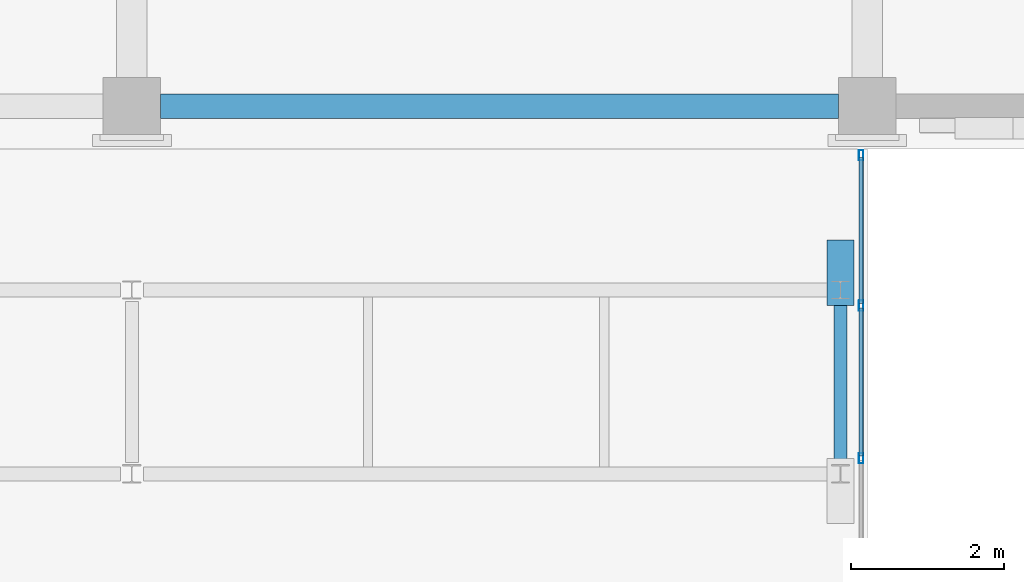
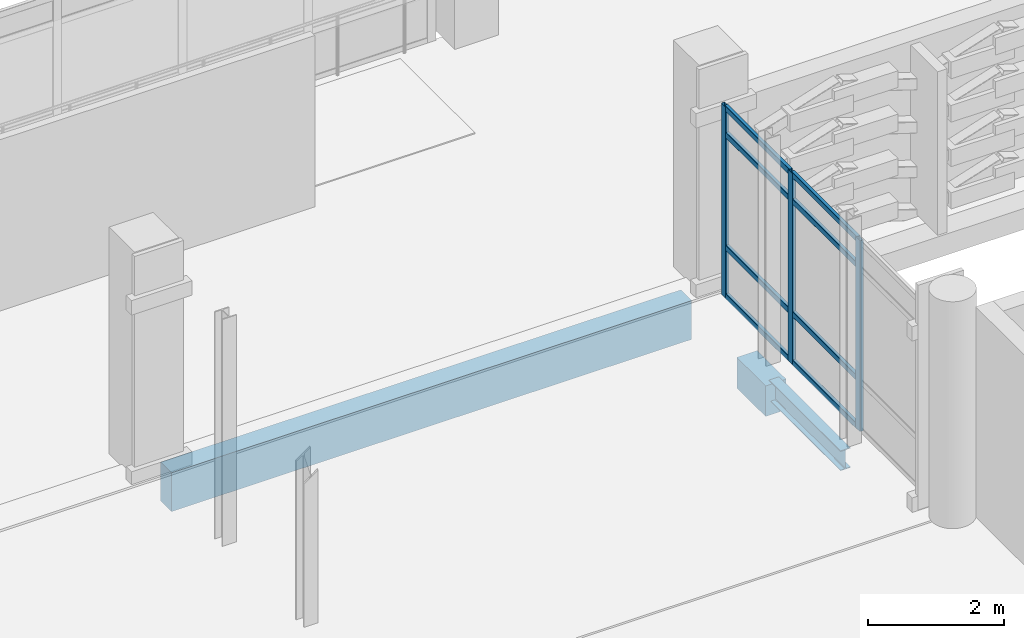
# One storey, part 82 of 180: 11 members, 3 beams, 1 element without a shape of its own.
"""IFC4 building model written with IfcOpenShell, lengths in metres."""

from ifc_helpers import new_model, si_unit, direction, frame, origin, origin_2d, place, context, subcontext, project, spatial, rectangle, hollow_rectangle, i_section, extrude, material, layer, layer_set, material_profile, profile_set, type_object, element, aggregate, save


model = new_model("IFC4")

# Units and contexts
model_context = context("Model", 3, precision=1e-05, world=origin(), true_north=direction((0.0, 1.0)))
body_context = subcontext(model_context, "Body", "Model", "MODEL_VIEW")
ifc_project = project(units=[si_unit("LENGTHUNIT", "METRE"), si_unit("AREAUNIT", "SQUARE_METRE"), si_unit("VOLUMEUNIT", "CUBIC_METRE"), si_unit("PLANEANGLEUNIT", "RADIAN"), si_unit("MASSUNIT", "GRAM", prefix="KILO")], contexts=[model_context])

# Site, building, storey
site_placement = place(None, origin())
site = spatial("IfcSite", under=ifc_project, at=site_placement, CompositionType="ELEMENT")
building_placement = place(site_placement, origin())
building = spatial("IfcBuilding", under=site, at=building_placement, Name="Asteropetra Specialist Clinic", CompositionType="ELEMENT")
storey_placement = place(building_placement, frame((0.0, 0.0, 4.419921875)))
storey = spatial("IfcBuildingStorey", under=building, at=storey_placement, Name="L01", CompositionType="ELEMENT", Elevation=4.419921875)

# Beams
ifc_material_1 = material(Name="Concrete C35/45", Category="concrete")
ifc_material_profile_1 = material_profile(ifc_material_1, rectangle(XDim=0.35009765625, YDim=0.550048828125, at=origin_2d()), Name="RCB 350x550")
ifc_profile_set_1 = profile_set([ifc_material_profile_1], Name="Concrete C35/45")
beam_type_1 = type_object("IfcBeamType", Name="BM-RC350x550", PredefinedType="BEAM", material=ifc_profile_set_1)
beam_1_placement = place(storey_placement, frame((28.449951171875, 67.0, -0.559814453125), z_axis=(0.0, 1.0, 0.0), x_axis=(-1.0, 0.0, 0.0)))
element("IfcBeam", 1, at=beam_1_placement, inside=storey, type_object=beam_type_1, Name="Bridge Bearing Seat Corbel CRB-12", PredefinedType="BEAM", context=body_context, shape_type="SweptSolid", body=[
    extrude(rectangle(XDim=0.35009765625, YDim=0.550048828125, at=origin_2d()), origin(), (0.0, 0.0, 1.0), 0.85009765625),
])
ifc_material_2 = material(Name="Steel S355", Category="steel")
ifc_material_profile_2 = material_profile(ifc_material_2, i_section(OverallWidth=0.169921875, OverallDepth=0.360107421875, WebThickness=0.008056640625, FlangeThickness=0.0126953125, FilletRadius=0.01806640625, at=origin_2d()), Name="IPE 360")
ifc_profile_set_2 = profile_set([ifc_material_profile_2], Name="Steel S355")
beam_type_2 = type_object("IfcBeamType", Name="BM-STL-IPE360", PredefinedType="BEAM", material=ifc_profile_set_2)
beam_2_placement = place(storey_placement, frame((28.449951171875, 64.949951171875, -0.419921875), z_axis=(0.0, 1.0, 0.0), x_axis=(-1.0, 0.0, 0.0)))
element("IfcBeam", 2, at=beam_2_placement, inside=storey, type_object=beam_type_2, Name="Beam BBMS4-0817", PredefinedType="BEAM", context=body_context, shape_type="SweptSolid", body=[
    extrude(i_section(OverallWidth=0.169921875, OverallDepth=0.360107421875, WebThickness=0.008056640625, FlangeThickness=0.0126953125, FilletRadius=0.01806640625, at=origin_2d()), origin(), (0.0, 0.0, 1.0), 2.10009765625),
])

# Curtain wall, members
ifc_material_3 = material(Name="Aluminium and low-E glass", Category="aluminium")
ifc_layer = layer(ifc_material_3, 0.135009765625)
ifc_layer_set = layer_set([ifc_layer], Name="Aluminium and low-E glass")
curtain_wall_type = type_object("IfcCurtainWallType", Name="CW-SYS-09", PredefinedType="USERDEFINED", material=ifc_layer_set)
curtain_wall_placement = place(storey_placement, origin())
curtain_wall = element("IfcCurtainWall", 3, at=curtain_wall_placement, inside=storey, type_object=curtain_wall_type, Name="Curtain Wall CW-104", ObjectType="STICK GLAZED COLONNADE", PredefinedType="USERDEFINED")
ifc_material_4 = material(Name="Aluminium 6063-T6", Category="aluminium")
ifc_material_profile_3 = material_profile(ifc_material_4, hollow_rectangle(XDim=0.06005859375, YDim=0.135009765625, WallThickness=0.00341796875, InnerFilletRadius=0.00341796875, OuterFilletRadius=0.007080078125, at=origin_2d()), Name="MUL 135x60x3.5")
ifc_profile_set_3 = profile_set([ifc_material_profile_3], Name="Aluminium 6063-T6")
member_type_1 = type_object("IfcMemberType", Name="CWM-135x60", PredefinedType="MULLION", material=ifc_profile_set_3)
member_1_placement = place(storey_placement, frame((28.719970703125, 68.9599609375, 0.0), z_axis=(0.0, 0.0, 1.0), x_axis=(1.0, 0.0, 0.0)))
member_1 = element("IfcMember", 4, at=member_1_placement, type_object=member_type_1, Name="CW-104 mullion 1", PredefinedType="MULLION", context=body_context, shape_type="SweptSolid", body=[
    extrude(hollow_rectangle(XDim=0.06005859375, YDim=0.135009765625, WallThickness=0.00341796875, InnerFilletRadius=0.00341796875, OuterFilletRadius=0.007080078125, at=origin_2d()), origin(), (0.0, 0.0, 1.0), 3.43017578125),
])
member_2_placement = place(storey_placement, frame((28.719970703125, 66.99658203125, 0.0), z_axis=(0.0, 0.0, 1.0), x_axis=(1.0, 0.0, 0.0)))
member_2 = element("IfcMember", 5, at=member_2_placement, type_object=member_type_1, Name="CW-104 mullion 2", PredefinedType="MULLION", context=body_context, shape_type="SweptSolid", body=[
    extrude(hollow_rectangle(XDim=0.06005859375, YDim=0.135009765625, WallThickness=0.00341796875, InnerFilletRadius=0.00341796875, OuterFilletRadius=0.007080078125, at=origin_2d()), origin(), (0.0, 0.0, 1.0), 3.43017578125),
])
member_3_placement = place(storey_placement, frame((28.719970703125, 65.00341796875, 0.0), z_axis=(0.0, 0.0, 1.0), x_axis=(1.0, 0.0, 0.0)))
member_3 = element("IfcMember", 6, at=member_3_placement, type_object=member_type_1, Name="CW-104 mullion 3", PredefinedType="MULLION", context=body_context, shape_type="SweptSolid", body=[
    extrude(hollow_rectangle(XDim=0.06005859375, YDim=0.135009765625, WallThickness=0.00341796875, InnerFilletRadius=0.00341796875, OuterFilletRadius=0.007080078125, at=origin_2d()), origin(), (0.0, 0.0, 1.0), 3.43017578125),
])
ifc_material_5 = material(Name="Aluminium 6063-T6", Category="aluminium")
ifc_material_profile_4 = material_profile(ifc_material_5, hollow_rectangle(XDim=0.06005859375, YDim=0.10009765625, WallThickness=0.00341796875, InnerFilletRadius=0.00341796875, OuterFilletRadius=0.007080078125, at=origin_2d()), Name="TRN 100x60x3.5")
ifc_profile_set_4 = profile_set([ifc_material_profile_4], Name="Aluminium 6063-T6")
member_type_2 = type_object("IfcMemberType", Name="CWT-100x60", PredefinedType="USERDEFINED", material=ifc_profile_set_4)
member_4_placement = place(storey_placement, frame((28.719970703125, 68.929931640625, 0.030029296875), z_axis=(0.0, -1.0, 0.0), x_axis=(1.0, 0.0, 0.0)))
member_4 = element("IfcMember", 7, at=member_4_placement, type_object=member_type_2, Name="CW-104 transom 1.1", ObjectType="TRANSOM", PredefinedType="USERDEFINED", context=body_context, shape_type="SweptSolid", body=[
    extrude(hollow_rectangle(XDim=0.06005859375, YDim=0.10009765625, WallThickness=0.00341796875, InnerFilletRadius=0.00341796875, OuterFilletRadius=0.007080078125, at=origin_2d()), origin(), (0.0, 0.0, 1.0), 1.9033203125),
])
member_5_placement = place(storey_placement, frame((28.719970703125, 68.929931640625, 0.900146484375), z_axis=(0.0, -1.0, 0.0), x_axis=(1.0, 0.0, 0.0)))
member_5 = element("IfcMember", 8, at=member_5_placement, type_object=member_type_2, Name="CW-104 transom 1.2", ObjectType="TRANSOM", PredefinedType="USERDEFINED", context=body_context, shape_type="SweptSolid", body=[
    extrude(hollow_rectangle(XDim=0.06005859375, YDim=0.10009765625, WallThickness=0.00341796875, InnerFilletRadius=0.00341796875, OuterFilletRadius=0.007080078125, at=origin_2d()), origin(), (0.0, 0.0, 1.0), 1.9033203125),
])
member_6_placement = place(storey_placement, frame((28.719970703125, 68.929931640625, 2.93017578125), z_axis=(0.0, -1.0, 0.0), x_axis=(1.0, 0.0, 0.0)))
member_6 = element("IfcMember", 9, at=member_6_placement, type_object=member_type_2, Name="CW-104 transom 1.3", ObjectType="TRANSOM", PredefinedType="USERDEFINED", context=body_context, shape_type="SweptSolid", body=[
    extrude(hollow_rectangle(XDim=0.06005859375, YDim=0.10009765625, WallThickness=0.00341796875, InnerFilletRadius=0.00341796875, OuterFilletRadius=0.007080078125, at=origin_2d()), origin(), (0.0, 0.0, 1.0), 1.9033203125),
])
member_7_placement = place(storey_placement, frame((28.719970703125, 68.929931640625, 3.400146484375), z_axis=(0.0, -1.0, 0.0), x_axis=(1.0, 0.0, 0.0)))
member_7 = element("IfcMember", 10, at=member_7_placement, type_object=member_type_2, Name="CW-104 transom 1.4", ObjectType="TRANSOM", PredefinedType="USERDEFINED", context=body_context, shape_type="SweptSolid", body=[
    extrude(hollow_rectangle(XDim=0.06005859375, YDim=0.10009765625, WallThickness=0.00341796875, InnerFilletRadius=0.00341796875, OuterFilletRadius=0.007080078125, at=origin_2d()), origin(), (0.0, 0.0, 1.0), 1.9033203125),
])
member_8_placement = place(storey_placement, frame((28.719970703125, 66.966552734375, 0.030029296875), z_axis=(0.0, -1.0, 0.0), x_axis=(1.0, 0.0, 0.0)))
member_8 = element("IfcMember", 11, at=member_8_placement, type_object=member_type_2, Name="CW-104 transom 2.1", ObjectType="TRANSOM", PredefinedType="USERDEFINED", context=body_context, shape_type="SweptSolid", body=[
    extrude(hollow_rectangle(XDim=0.06005859375, YDim=0.10009765625, WallThickness=0.00341796875, InnerFilletRadius=0.00341796875, OuterFilletRadius=0.007080078125, at=origin_2d()), origin(), (0.0, 0.0, 1.0), 1.93310546875),
])
member_9_placement = place(storey_placement, frame((28.719970703125, 66.966552734375, 0.900146484375), z_axis=(0.0, -1.0, 0.0), x_axis=(1.0, 0.0, 0.0)))
member_9 = element("IfcMember", 12, at=member_9_placement, type_object=member_type_2, Name="CW-104 transom 2.2", ObjectType="TRANSOM", PredefinedType="USERDEFINED", context=body_context, shape_type="SweptSolid", body=[
    extrude(hollow_rectangle(XDim=0.06005859375, YDim=0.10009765625, WallThickness=0.00341796875, InnerFilletRadius=0.00341796875, OuterFilletRadius=0.007080078125, at=origin_2d()), origin(), (0.0, 0.0, 1.0), 1.93310546875),
])
member_10_placement = place(storey_placement, frame((28.719970703125, 66.966552734375, 2.93017578125), z_axis=(0.0, -1.0, 0.0), x_axis=(1.0, 0.0, 0.0)))
member_10 = element("IfcMember", 13, at=member_10_placement, type_object=member_type_2, Name="CW-104 transom 2.3", ObjectType="TRANSOM", PredefinedType="USERDEFINED", context=body_context, shape_type="SweptSolid", body=[
    extrude(hollow_rectangle(XDim=0.06005859375, YDim=0.10009765625, WallThickness=0.00341796875, InnerFilletRadius=0.00341796875, OuterFilletRadius=0.007080078125, at=origin_2d()), origin(), (0.0, 0.0, 1.0), 1.93310546875),
])
member_11_placement = place(storey_placement, frame((28.719970703125, 66.966552734375, 3.400146484375), z_axis=(0.0, -1.0, 0.0), x_axis=(1.0, 0.0, 0.0)))
member_11 = element("IfcMember", 14, at=member_11_placement, type_object=member_type_2, Name="CW-104 transom 2.4", ObjectType="TRANSOM", PredefinedType="USERDEFINED", context=body_context, shape_type="SweptSolid", body=[
    extrude(hollow_rectangle(XDim=0.06005859375, YDim=0.10009765625, WallThickness=0.00341796875, InnerFilletRadius=0.00341796875, OuterFilletRadius=0.007080078125, at=origin_2d()), origin(), (0.0, 0.0, 1.0), 1.93310546875),
])
aggregate(curtain_wall, [member_1, member_2, member_3, member_4, member_5, member_6, member_7, member_8, member_9, member_10, member_11])

# Beam
ifc_material_6 = material(Name="Concrete C35/45", Category="concrete")
ifc_material_profile_5 = material_profile(ifc_material_6, rectangle(XDim=0.320068359375, YDim=0.699951171875, at=origin_2d()), Name="RCS 320x700")
ifc_profile_set_5 = profile_set([ifc_material_profile_5], Name="Concrete C35/45")
beam_type_3 = type_object("IfcBeamType", Name="SPN-RC320x700", PredefinedType="SPANDREL", material=ifc_profile_set_5)
beam_3_placement = place(storey_placement, frame((19.574951171875, 69.60009765625, -0.6298828125), z_axis=(1.0, 0.0, 0.0), x_axis=(0.0, 1.0, 0.0)))
element("IfcBeam", 15, at=beam_3_placement, inside=storey, type_object=beam_type_3, Name="Beam BSPN02-0628", PredefinedType="SPANDREL", context=body_context, shape_type="SweptSolid", body=[
    extrude(rectangle(XDim=0.320068359375, YDim=0.699951171875, at=origin_2d()), origin(), (0.0, 0.0, 1.0), 8.85009765625),
])

save(model, "model.ifc")
